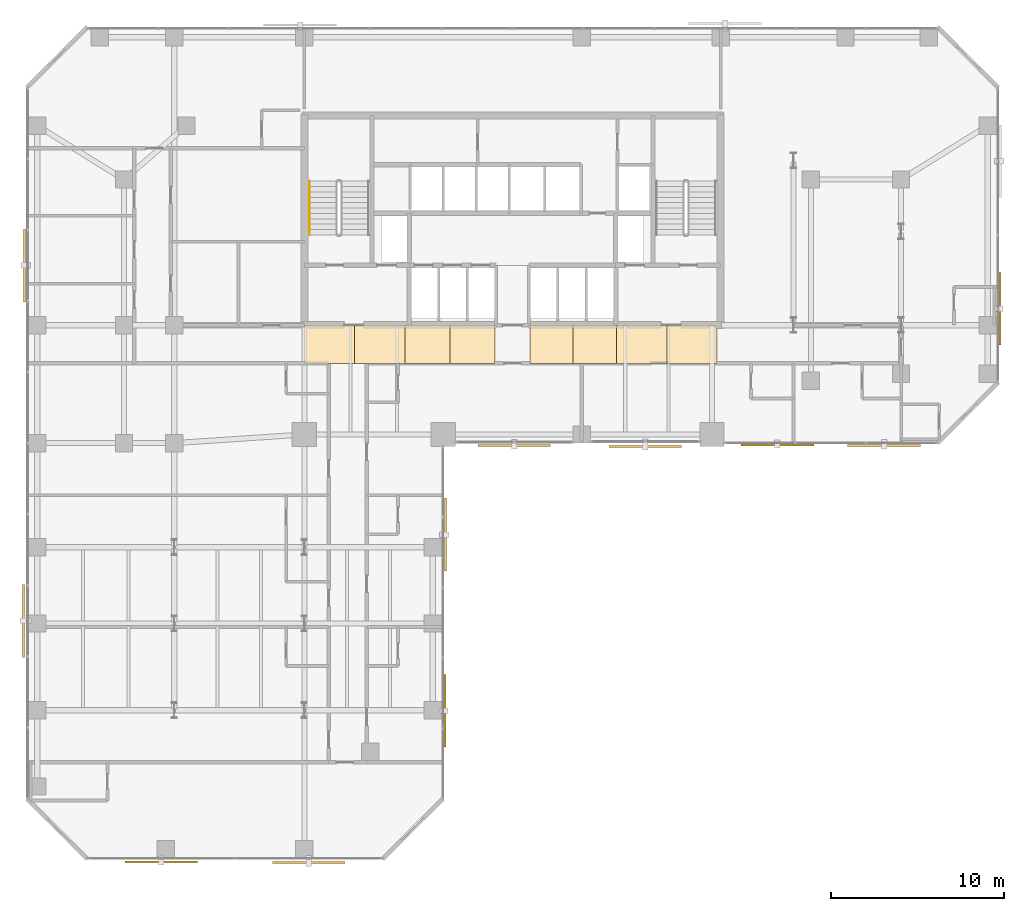
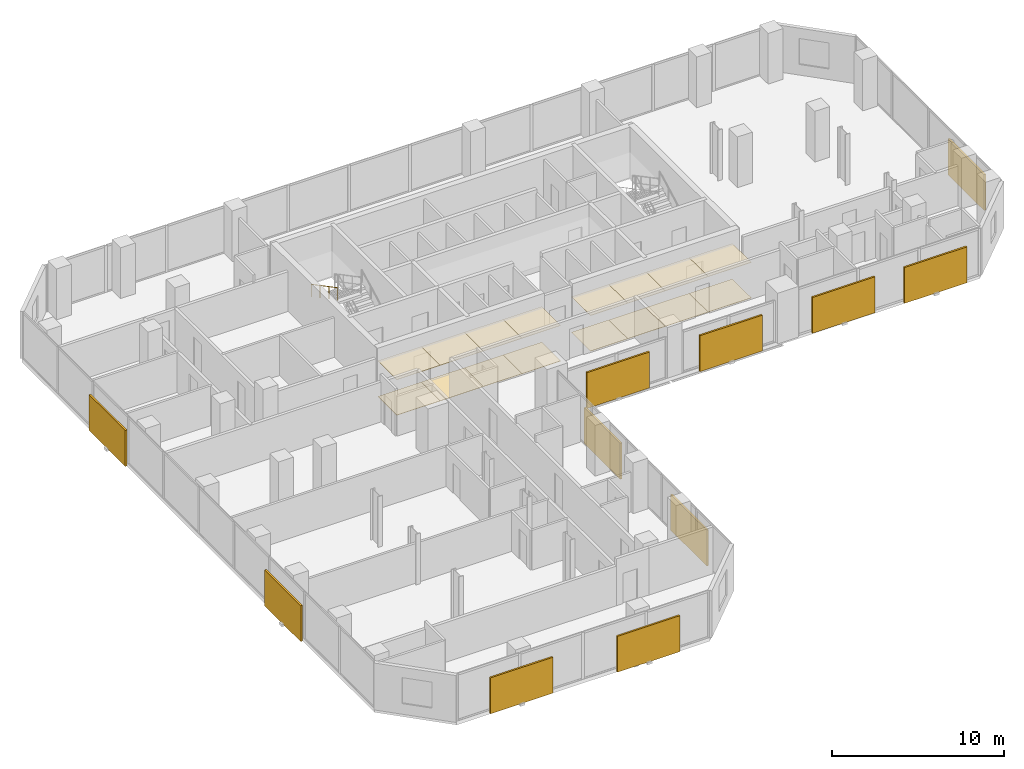
# One storey, part 30 of 31: 16 coverings, 11 shading devices, 1 railing.
"""IFC4 building model written with IfcOpenShell, lengths in metres."""

from ifc_helpers import new_model, si_unit, direction, frame, origin, origin_2d, place, context, subcontext, project, spatial, polyline, rectangle, circle, outline, extrude, material, layer, layer_set, type_object, element, save


model = new_model("IFC4")

# Units and contexts
model_context = context("Model", 3, precision=1e-05, world=origin(), true_north=direction((0.0, 1.0)))
body_context = subcontext(model_context, "Body", "Model", "MODEL_VIEW")
ifc_project = project(units=[si_unit("LENGTHUNIT", "METRE"), si_unit("AREAUNIT", "SQUARE_METRE"), si_unit("VOLUMEUNIT", "CUBIC_METRE"), si_unit("PLANEANGLEUNIT", "RADIAN"), si_unit("MASSUNIT", "GRAM", prefix="KILO")], contexts=[model_context])

# Site, building, storey
site_placement = place(None, origin())
site = spatial("IfcSite", under=ifc_project, at=site_placement, CompositionType="ELEMENT")
building_placement = place(site_placement, origin())
building = spatial("IfcBuilding", under=site, at=building_placement, Name="Catumbela Crestline Tower", CompositionType="ELEMENT")
storey_placement = place(building_placement, frame((0.0, 0.0, 36.6)))
storey = spatial("IfcBuildingStorey", under=building, at=storey_placement, Name="L08", CompositionType="ELEMENT", Elevation=36.6)

# Coverings
ifc_material_1 = material(Name="Mineral-fibre acoustic ceiling")
ifc_layer_1 = layer(ifc_material_1, 0.03, Name="Mineral-fibre acoustic ceiling")
ifc_layer_set_1 = layer_set([ifc_layer_1], Name="Mineral-fibre acoustic ceiling")
covering_type_1 = type_object("IfcCoveringType", Name="CC-AC", PredefinedType="CEILING", material=ifc_layer_set_1)
covering_1_placement = place(storey_placement, frame((0.0, 0.0, 2.52)))
element("IfcCovering", 1, at=covering_1_placement, inside=storey, type_object=covering_type_1, Name="L08 Corridor Acoustic Ceiling Bay 1", PredefinedType="CEILING", context=body_context, shape_type="SweptSolid", body=[
    extrude(outline(polyline([(16.0, 28.6), (18.9, 28.6), (18.9, 30.8), (16.0, 30.8), (16.0, 28.6)])), origin(), (0.0, 0.0, 1.0), 0.03),
])
covering_2_placement = place(storey_placement, frame((0.0, 0.0, 2.52)))
element("IfcCovering", 2, at=covering_2_placement, inside=storey, type_object=covering_type_1, Name="L08 Corridor Acoustic Ceiling Bay 2", PredefinedType="CEILING", context=body_context, shape_type="SweptSolid", body=[
    extrude(outline(polyline([(18.9, 28.6), (21.8, 28.6), (21.8, 30.8), (18.9, 30.8), (18.9, 28.6)])), origin(), (0.0, 0.0, 1.0), 0.03),
])
covering_3_placement = place(storey_placement, frame((0.0, 0.0, 2.52)))
element("IfcCovering", 3, at=covering_3_placement, inside=storey, type_object=covering_type_1, Name="L08 Corridor Acoustic Ceiling Bay 3", PredefinedType="CEILING", context=body_context, shape_type="SweptSolid", body=[
    extrude(outline(polyline([(21.8, 28.6), (24.4, 28.6), (24.4, 30.8), (21.8, 30.8), (21.8, 28.6)])), origin(), (0.0, 0.0, 1.0), 0.03),
])
covering_4_placement = place(storey_placement, frame((0.0, 0.0, 2.52)))
element("IfcCovering", 4, at=covering_4_placement, inside=storey, type_object=covering_type_1, Name="L08 Corridor Acoustic Ceiling Bay 4", PredefinedType="CEILING", context=body_context, shape_type="SweptSolid", body=[
    extrude(outline(polyline([(24.4, 28.6), (27.0, 28.6), (27.0, 30.8), (24.4, 30.8), (24.4, 28.6)])), origin(), (0.0, 0.0, 1.0), 0.03),
])
covering_5_placement = place(storey_placement, frame((0.0, 0.0, 2.52)))
element("IfcCovering", 5, at=covering_5_placement, inside=storey, type_object=covering_type_1, Name="L08 Corridor Acoustic Ceiling Bay 5", PredefinedType="CEILING", context=body_context, shape_type="SweptSolid", body=[
    extrude(outline(polyline([(29.0, 28.6), (31.5, 28.6), (31.5, 30.8), (29.0, 30.8), (29.0, 28.6)])), origin(), (0.0, 0.0, 1.0), 0.03),
])
covering_6_placement = place(storey_placement, frame((0.0, 0.0, 2.52)))
element("IfcCovering", 6, at=covering_6_placement, inside=storey, type_object=covering_type_1, Name="L08 Corridor Acoustic Ceiling Bay 6", PredefinedType="CEILING", context=body_context, shape_type="SweptSolid", body=[
    extrude(outline(polyline([(31.5, 28.6), (34.0, 28.6), (34.0, 30.8), (31.5, 30.8), (31.5, 28.6)])), origin(), (0.0, 0.0, 1.0), 0.03),
])
covering_7_placement = place(storey_placement, frame((0.0, 0.0, 2.52)))
element("IfcCovering", 7, at=covering_7_placement, inside=storey, type_object=covering_type_1, Name="L08 Corridor Acoustic Ceiling Bay 7", PredefinedType="CEILING", context=body_context, shape_type="SweptSolid", body=[
    extrude(outline(polyline([(34.0, 28.6), (36.9, 28.6), (36.9, 30.8), (34.0, 30.8), (34.0, 28.6)])), origin(), (0.0, 0.0, 1.0), 0.03),
])
covering_8_placement = place(storey_placement, frame((0.0, 0.0, 2.52)))
element("IfcCovering", 8, at=covering_8_placement, inside=storey, type_object=covering_type_1, Name="L08 Corridor Acoustic Ceiling Bay 8", PredefinedType="CEILING", context=body_context, shape_type="SweptSolid", body=[
    extrude(outline(polyline([(36.9, 28.6), (39.8, 28.6), (39.8, 30.8), (36.9, 30.8), (36.9, 28.6)])), origin(), (0.0, 0.0, 1.0), 0.03),
])
ifc_material_2 = material(Name="Angolan grey-ochre granite", Category="masonry")
ifc_layer_2 = layer(ifc_material_2, 0.025, Name="Angolan grey-ochre granite")
ifc_layer_set_2 = layer_set([ifc_layer_2], Name="Angolan grey-ochre granite")
covering_type_2 = type_object("IfcCoveringType", Name="CF-GR", PredefinedType="FLOORING", material=ifc_layer_set_2)
covering_9_placement = place(storey_placement, origin())
element("IfcCovering", 9, at=covering_9_placement, inside=storey, type_object=covering_type_2, Name="L08 Corridor Granite Flooring Bay 1", PredefinedType="FLOORING", context=body_context, shape_type="SweptSolid", body=[
    extrude(outline(polyline([(16.0, 28.6), (18.9, 28.6), (18.9, 30.8), (16.0, 30.8), (16.0, 28.6)])), origin(), (0.0, 0.0, 1.0), 0.025),
])
covering_10_placement = place(storey_placement, origin())
element("IfcCovering", 10, at=covering_10_placement, inside=storey, type_object=covering_type_2, Name="L08 Corridor Granite Flooring Bay 2", PredefinedType="FLOORING", context=body_context, shape_type="SweptSolid", body=[
    extrude(outline(polyline([(18.9, 28.6), (21.8, 28.6), (21.8, 30.8), (18.9, 30.8), (18.9, 28.6)])), origin(), (0.0, 0.0, 1.0), 0.025),
])
covering_11_placement = place(storey_placement, origin())
element("IfcCovering", 11, at=covering_11_placement, inside=storey, type_object=covering_type_2, Name="L08 Corridor Granite Flooring Bay 3", PredefinedType="FLOORING", context=body_context, shape_type="SweptSolid", body=[
    extrude(outline(polyline([(21.8, 28.6), (24.4, 28.6), (24.4, 30.8), (21.8, 30.8), (21.8, 28.6)])), origin(), (0.0, 0.0, 1.0), 0.025),
])
covering_12_placement = place(storey_placement, origin())
element("IfcCovering", 12, at=covering_12_placement, inside=storey, type_object=covering_type_2, Name="L08 Corridor Granite Flooring Bay 4", PredefinedType="FLOORING", context=body_context, shape_type="SweptSolid", body=[
    extrude(outline(polyline([(24.4, 28.6), (27.0, 28.6), (27.0, 30.8), (24.4, 30.8), (24.4, 28.6)])), origin(), (0.0, 0.0, 1.0), 0.025),
])
covering_13_placement = place(storey_placement, origin())
element("IfcCovering", 13, at=covering_13_placement, inside=storey, type_object=covering_type_2, Name="L08 Corridor Granite Flooring Bay 5", PredefinedType="FLOORING", context=body_context, shape_type="SweptSolid", body=[
    extrude(outline(polyline([(29.0, 28.6), (31.5, 28.6), (31.5, 30.8), (29.0, 30.8), (29.0, 28.6)])), origin(), (0.0, 0.0, 1.0), 0.025),
])
covering_14_placement = place(storey_placement, origin())
element("IfcCovering", 14, at=covering_14_placement, inside=storey, type_object=covering_type_2, Name="L08 Corridor Granite Flooring Bay 6", PredefinedType="FLOORING", context=body_context, shape_type="SweptSolid", body=[
    extrude(outline(polyline([(31.5, 28.6), (34.0, 28.6), (34.0, 30.8), (31.5, 30.8), (31.5, 28.6)])), origin(), (0.0, 0.0, 1.0), 0.025),
])
covering_15_placement = place(storey_placement, origin())
element("IfcCovering", 15, at=covering_15_placement, inside=storey, type_object=covering_type_2, Name="L08 Corridor Granite Flooring Bay 7", PredefinedType="FLOORING", context=body_context, shape_type="SweptSolid", body=[
    extrude(outline(polyline([(34.0, 28.6), (36.9, 28.6), (36.9, 30.8), (34.0, 30.8), (34.0, 28.6)])), origin(), (0.0, 0.0, 1.0), 0.025),
])
covering_16_placement = place(storey_placement, origin())
element("IfcCovering", 16, at=covering_16_placement, inside=storey, type_object=covering_type_2, Name="L08 Corridor Granite Flooring Bay 8", PredefinedType="FLOORING", context=body_context, shape_type="SweptSolid", body=[
    extrude(outline(polyline([(36.9, 28.6), (39.8, 28.6), (39.8, 30.8), (36.9, 30.8), (36.9, 28.6)])), origin(), (0.0, 0.0, 1.0), 0.025),
])

# Railing
ifc_material_3 = material(Name="Stainless steel EN 1.4401", Category="steel")
railing_type = type_object("IfcRailingType", Name="RH-0900", PredefinedType="HANDRAIL", material=ifc_material_3)
railing_placement = place(storey_placement, frame((16.3, 39.1, 1.9636)))
element("IfcRailing", 17, at=railing_placement, inside=storey, type_object=railing_type, Name="L08 ST-01 stair handrail 2", PredefinedType="HANDRAIL", context=body_context, shape_type="SweptSolid", body=[
    extrude(circle(Radius=0.024, at=origin_2d()), frame((0.0, 0.0, 0.876), z_axis=(0.0, -0.884350731049, 0.466823076222), x_axis=(1.0, 0.0, 0.0)), (0.0, 0.0, 1.0), 3.5054),
    extrude(circle(Radius=0.021, at=origin_2d()), origin(), (0.0, 0.0, 1.0), 0.852),
    extrude(circle(Radius=0.021, at=origin_2d()), frame((0.0, -1.0333, 0.5455)), (0.0, 0.0, 1.0), 0.852),
    extrude(circle(Radius=0.021, at=origin_2d()), frame((0.0, -2.0667, 1.0909)), (0.0, 0.0, 1.0), 0.852),
    extrude(circle(Radius=0.021, at=origin_2d()), frame((0.0, -3.1, 1.6364)), (0.0, 0.0, 1.0), 0.852),
])

# Shading devices
ifc_material_4 = material(Name="Extruded terracotta ceramic", Category="masonry")
shading_device_type_1 = type_object("IfcShadingDeviceType", Name="ST-180", PredefinedType="USERDEFINED", material=ifc_material_4)
for number, where, z_axis, x_axis, name in (
    (18, (24.099, 8.575, -0.1), (0.0, 0.0, 1.0), (0.0, 1.0, 0.0), "L08 Perforated Terracotta Solar Screen 45 (180 mm)"),
    (19, (43.275, 23.901, -0.1), (0.0, 0.0, 1.0), (1.0, 0.0, 0.0), "L08 Perforated Terracotta Solar Screen 49 (180 mm)"),
    (20, (56.099, 31.75, -0.1), (0.0, 0.0, 1.0), (0.0, 1.0, 0.0), "L08 Perforated Terracotta Solar Screen 51 (180 mm)"),
):
    element("IfcShadingDevice", number, at=place(storey_placement, frame(where, z_axis=z_axis, x_axis=x_axis)), inside=storey, type_object=shading_device_type_1, Name=name, ObjectType="SCREEN", PredefinedType="USERDEFINED", context=body_context, shape_type="SweptSolid", body=[
        extrude(rectangle(XDim=4.2, YDim=0.12, at=origin_2d()), origin(), (0.0, 0.0, 1.0), 2.55),
    ])
shading_device_type_2 = type_object("IfcShadingDeviceType", Name="ST-260", PredefinedType="USERDEFINED", material=ifc_material_4)
for number, where, z_axis, x_axis, name in (
    (21, (7.75, -0.143, -0.1), (0.0, 0.0, 1.0), (1.0, 0.0, 0.0), "L08 Perforated Terracotta Solar Screen 43 (260 mm)"),
    (22, (24.143, 18.725, -0.1), (0.0, 0.0, 1.0), (0.0, 1.0, 0.0), "L08 Perforated Terracotta Solar Screen 46 (260 mm)"),
    (23, (28.1, 23.857, -0.1), (0.0, 0.0, 1.0), (1.0, 0.0, 0.0), "L08 Perforated Terracotta Solar Screen 47 (260 mm)"),
    (24, (49.425, 23.857, -0.1), (0.0, 0.0, 1.0), (1.0, 0.0, 0.0), "L08 Perforated Terracotta Solar Screen 50 (260 mm)"),
    (25, (-0.143, 34.25, -0.1), (0.0, 0.0, 1.0), (0.0, -1.0, 0.0), "L08 Perforated Terracotta Solar Screen 55 (260 mm)"),
):
    element("IfcShadingDevice", number, at=place(storey_placement, frame(where, z_axis=z_axis, x_axis=x_axis)), inside=storey, type_object=shading_device_type_2, Name=name, ObjectType="SCREEN", PredefinedType="USERDEFINED", context=body_context, shape_type="SweptSolid", body=[
        extrude(rectangle(XDim=4.2, YDim=0.12, at=origin_2d()), origin(), (0.0, 0.0, 1.0), 2.55),
    ])
shading_device_type_3 = type_object("IfcShadingDeviceType", Name="ST-340", PredefinedType="USERDEFINED", material=ifc_material_4)
for number, where, z_axis, x_axis, name in (
    (26, (16.25, -0.187, -0.1), (0.0, 0.0, 1.0), (1.0, 0.0, 0.0), "L08 Perforated Terracotta Solar Screen 44 (340 mm)"),
    (27, (35.65, 23.813, -0.1), (0.0, 0.0, 1.0), (1.0, 0.0, 0.0), "L08 Perforated Terracotta Solar Screen 48 (340 mm)"),
    (28, (-0.187, 13.75, -0.1), (0.0, 0.0, 1.0), (0.0, -1.0, 0.0), "L08 Perforated Terracotta Solar Screen 56 (340 mm)"),
):
    element("IfcShadingDevice", number, at=place(storey_placement, frame(where, z_axis=z_axis, x_axis=x_axis)), inside=storey, type_object=shading_device_type_3, Name=name, ObjectType="SCREEN", PredefinedType="USERDEFINED", context=body_context, shape_type="SweptSolid", body=[
        extrude(rectangle(XDim=4.2, YDim=0.12, at=origin_2d()), origin(), (0.0, 0.0, 1.0), 2.55),
    ])

save(model, "model.ifc")
